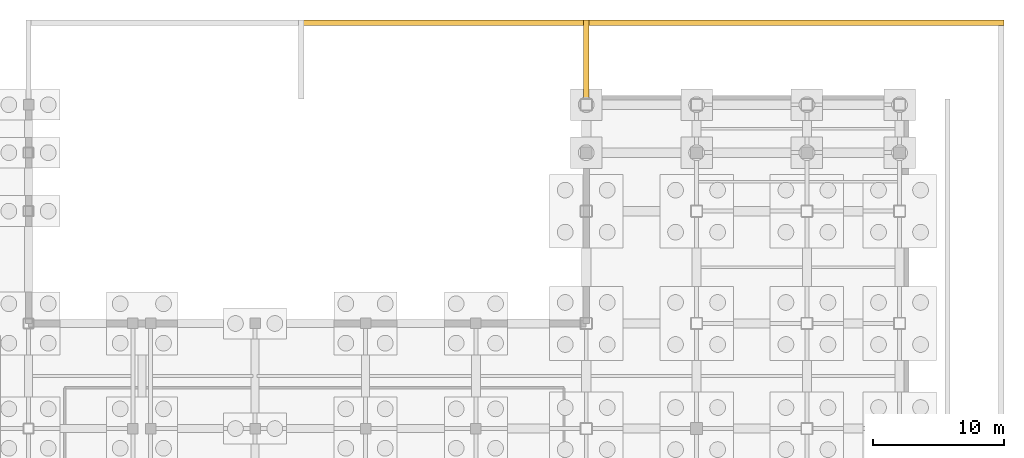
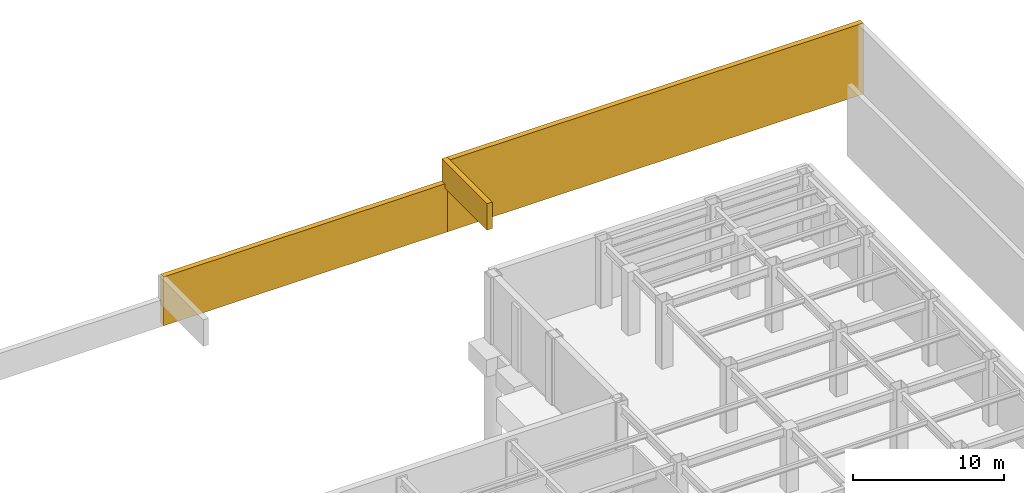
# One storey, part 54 of 55: 3 coverings.
"""IFC4 building model written with IfcOpenShell, lengths in metres."""

from ifc_helpers import new_model, si_unit, direction, frame, frame_2d, origin, place, context, subcontext, project, spatial, rectangle, extrude, material, layer, layer_set, type_object, element, save


model = new_model("IFC4")

# Units and contexts
model_context = context("Model", 3, precision=1e-05, world=origin(), true_north=direction((0.0, 1.0)))
body_context = subcontext(model_context, "Body", "Model", "MODEL_VIEW")
ifc_project = project(units=[si_unit("LENGTHUNIT", "METRE"), si_unit("AREAUNIT", "SQUARE_METRE"), si_unit("VOLUMEUNIT", "CUBIC_METRE"), si_unit("PLANEANGLEUNIT", "RADIAN"), si_unit("MASSUNIT", "GRAM", prefix="KILO")], contexts=[model_context])

# Site, building, storey
site_placement = place(None, origin())
site = spatial("IfcSite", under=ifc_project, at=site_placement, CompositionType="ELEMENT")
building_placement = place(site_placement, origin())
building = spatial("IfcBuilding", under=site, at=building_placement, Name="Kazehara Bluff Congress Hotel", CompositionType="ELEMENT")
storey_placement = place(building_placement, frame((0.0, 0.0, -5.39990234375)))
storey = spatial("IfcBuildingStorey", under=building, at=storey_placement, Name="B1", CompositionType="ELEMENT", Elevation=-5.39990234375)

# Coverings
ifc_material = material(Name="Granite ashlar bluff retaining facing", Category="masonry")
ifc_layer = layer(ifc_material, 0.39990234375)
ifc_layer_set = layer_set([ifc_layer], Name="Granite ashlar bluff retaining facing")
covering_type = type_object("IfcCoveringType", Name="TP-SITE-SKT", PredefinedType="CLADDING", material=ifc_layer_set)
covering_1_placement = place(storey_placement, frame((122.0, 119.800048828125, 5.0498046875), z_axis=(0.0, 0.0, 1.0), x_axis=(1.0, 0.0, 0.0)))
element("IfcCovering", 1, at=covering_1_placement, inside=storey, type_object=covering_type, Name="Osaka bluff granite earthwork retaining facing SKT-N3", PredefinedType="CLADDING", context=body_context, shape_type="SweptSolid", body=[
    extrude(rectangle(XDim=21.699951171875, YDim=0.39990234375, at=frame_2d((10.85009765625, 0.0))), origin(), (0.0, 0.0, 1.0), 3.9501953125),
])
covering_2_placement = place(storey_placement, frame((143.699951171875, 119.800048828125, 5.0498046875), z_axis=(0.0, 0.0, 1.0), x_axis=(1.0, 0.0, 0.0)))
element("IfcCovering", 2, at=covering_2_placement, inside=storey, type_object=covering_type, Name="Osaka bluff granite earthwork retaining facing SKT-N4", PredefinedType="CLADDING", context=body_context, shape_type="SweptSolid", body=[
    extrude(rectangle(XDim=31.800048828125, YDim=0.39990234375, at=frame_2d((15.89990234375, 0.0))), origin(), (0.0, 0.0, 1.0), 5.75),
])
covering_3_placement = place(storey_placement, frame((143.699951171875, 114.0, 8.64990234375), z_axis=(0.0, 0.0, 1.0), x_axis=(0.0, 1.0, 0.0)))
element("IfcCovering", 3, at=covering_3_placement, inside=storey, type_object=covering_type, Name="Osaka bluff granite earthwork retaining facing SKT-N4R", PredefinedType="CLADDING", context=body_context, shape_type="SweptSolid", body=[
    extrude(rectangle(XDim=6.0, YDim=0.39990234375, at=frame_2d((3.0, 0.0))), origin(), (0.0, 0.0, 1.0), 2.14990234375),
])

save(model, "model.ifc")
